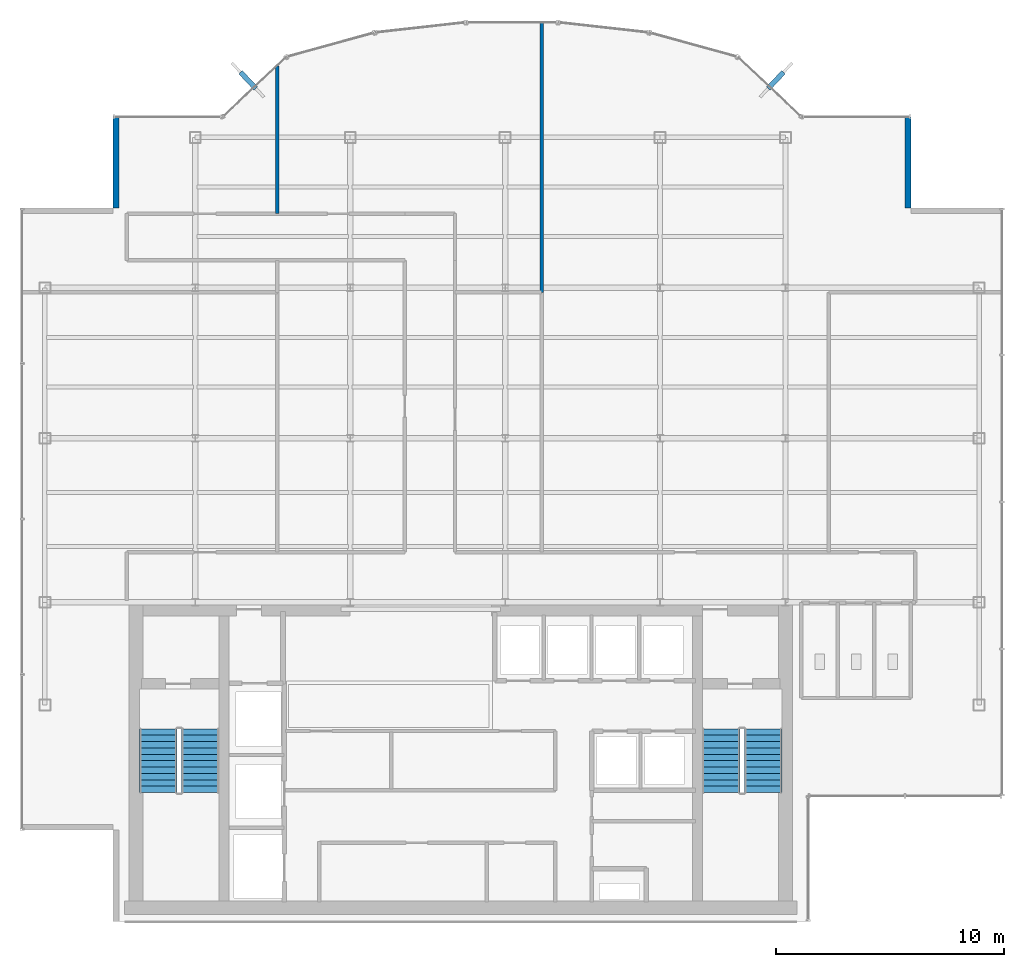
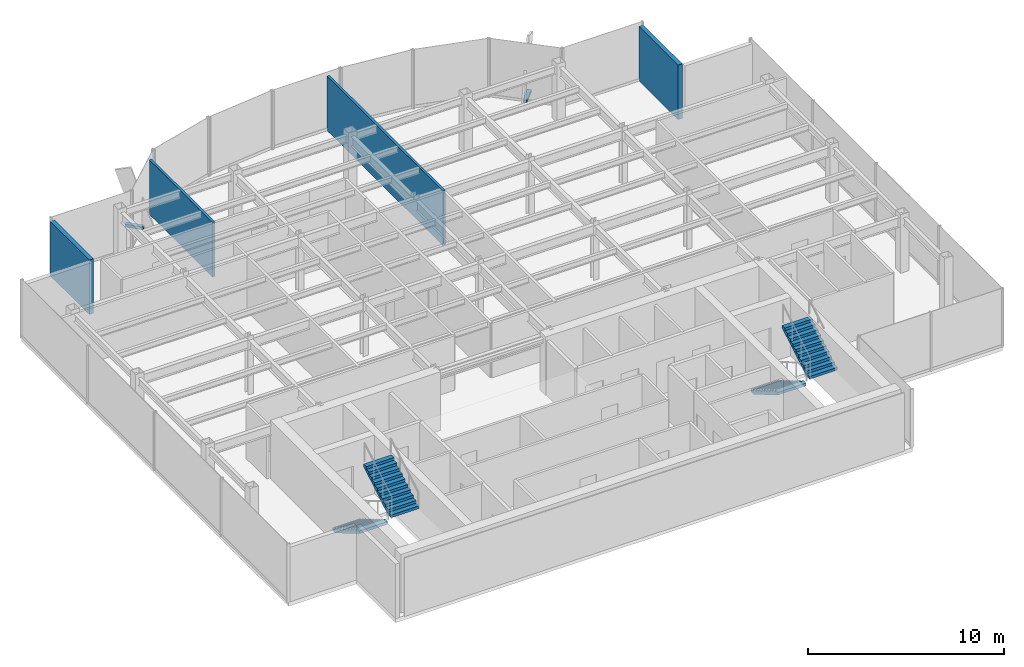
# One storey, part 19 of 22: 4 stair flights, 4 walls, 2 discrete accessories, 2 elements without a shape of their own.
"""IFC4 building model written with IfcOpenShell, lengths in metres."""

from ifc_helpers import new_model, si_unit, derived_unit, direction, frame, frame_2d, origin, origin_2d, place, context, subcontext, project, spatial, polyline, rectangle, outline, extrude, source, transform, mapped, material, layer, layer_set, type_object, element, aggregate, save


model = new_model("IFC4")

# Units and contexts
model_context = context("Model", 3, precision=1e-05, world=origin(), true_north=direction((0.0, 1.0)))
body_context = subcontext(model_context, "Body", "Model", "MODEL_VIEW")
ifc_project = project(units=[si_unit("LENGTHUNIT", "METRE"), si_unit("AREAUNIT", "SQUARE_METRE"), si_unit("VOLUMEUNIT", "CUBIC_METRE"), si_unit("PLANEANGLEUNIT", "RADIAN"), si_unit("MASSUNIT", "GRAM", prefix="KILO"), derived_unit("THERMALTRANSMITTANCEUNIT", [(si_unit("POWERUNIT", "WATT"), 1), (si_unit("LENGTHUNIT", "METRE"), -2), (si_unit("THERMODYNAMICTEMPERATUREUNIT", "KELVIN"), -1)])], contexts=[model_context])

# Site, building, storey
site_placement = place(None, origin())
site = spatial("IfcSite", under=ifc_project, at=site_placement, CompositionType="ELEMENT")
building_placement = place(site_placement, origin())
building = spatial("IfcBuilding", under=site, at=building_placement, Name="Skarnbrae Concourse Arena and Tower", CompositionType="ELEMENT")
storey_placement = place(building_placement, frame((0.0, 0.0, 214.14990234375)))
storey = spatial("IfcBuildingStorey", under=building, at=storey_placement, Name="L55", CompositionType="ELEMENT", Elevation=214.14990234375)

# Walls
ifc_material_1 = material(Name="Precast concrete 40 MPa (C40/50)", Category="concrete")
ifc_layer_1 = layer(ifc_material_1, 0.25)
ifc_layer_set_1 = layer_set([ifc_layer_1], Name="Precast concrete 40 MPa (C40/50)")
wall_type_1 = type_object("IfcWallType", Name="WALL-EXT-SPANDREL-250", PredefinedType="STANDARD", material=ifc_layer_set_1)
shared_shape_1 = source(origin(), body_context, "Body", "SweptSolid", [
    extrude(rectangle(XDim=4.0, YDim=0.25, at=frame_2d((2.0, 0.0))), origin(), (0.0, 0.0, 1.0), 3.400146484375),
])
for number, where, z_axis, x_axis, name in (
    (1, (38.875, 31.300048828125, 0.0), (0.0, 0.0, 1.0), (0.0, 1.0, 0.0), "L55 Notched corner insulated return wall 06"),
    (2, (4.125, 35.300048828125, 0.0), (0.0, 0.0, 1.0), (0.0, -1.0, 0.0), "L55 Notched corner insulated return wall 16"),
):
    element("IfcWall", number, at=place(storey_placement, frame(where, z_axis=z_axis, x_axis=x_axis)), inside=storey, type_object=wall_type_1, Name=name, PredefinedType="STANDARD", context=body_context, shape_type="MappedRepresentation", body=[
        mapped(shared_shape_1, transform((0.0, 0.0, 0.0))),
    ])
ifc_material_2 = material(Name="Gypsum board on cold-formed steel studs", Category="steel")
ifc_layer_2 = layer(ifc_material_2, 0.14990234375)
ifc_layer_set_2 = layer_set([ifc_layer_2], Name="Gypsum board on cold-formed steel studs")
wall_type_2 = type_object("IfcWallType", Name="WALL-PART-150", PredefinedType="PARTITIONING", material=ifc_layer_set_2)
shared_shape_2 = source(origin(), body_context, "Body", "SweptSolid", [
    extrude(rectangle(XDim=6.481689453125, YDim=0.14990234375, at=frame_2d((3.24072265625, 0.0))), origin(), (0.0, 0.0, 1.0), 3.400146484375),
])
wall_1_placement = place(storey_placement, frame((11.199951171875, 37.53173828125, 0.0), z_axis=(0.0, 0.0, 1.0), x_axis=(0.0, -1.0, 0.0)))
element("IfcWall", 3, at=wall_1_placement, inside=storey, type_object=wall_type_2, Name="L55 Interior partition wall W-L55-DEM-16", PredefinedType="PARTITIONING", context=body_context, shape_type="MappedRepresentation", body=[
    mapped(shared_shape_2, transform((0.0, 0.0, 0.0))),
])
shared_shape_3 = source(origin(), body_context, "Body", "SweptSolid", [
    extrude(rectangle(XDim=11.82666015625, YDim=0.14990234375, at=frame_2d((5.913330078125, 0.0))), origin(), (0.0, 0.0, 1.0), 3.400146484375),
])
wall_2_placement = place(storey_placement, frame((22.800048828125, 39.4267578125, 0.0), z_axis=(0.0, 0.0, 1.0), x_axis=(0.0, -1.0, 0.0)))
element("IfcWall", 4, at=wall_2_placement, inside=storey, type_object=wall_type_2, Name="L55 Interior partition wall W-L55-DEM-19", PredefinedType="PARTITIONING", context=body_context, shape_type="MappedRepresentation", body=[
    mapped(shared_shape_3, transform((0.0, 0.0, 0.0))),
])

# Stair, stair flights
ifc_material_3 = material(Name="Concrete 40 MPa (C40/50)", Category="concrete")
stair_type = type_object("IfcStairType", Name="STAIR-DOGLEG-1650", PredefinedType="HALF_TURN_STAIR", material=ifc_material_3)
stair_1_placement = place(storey_placement, origin())
stair_1 = element("IfcStair", 5, at=stair_1_placement, inside=storey, type_object=stair_type, Name="L55 Protected Exit Stair ST-1", PredefinedType="HALF_TURN_STAIR")
stair_flight_type = type_object("IfcStairFlightType", Name="FLIGHT-STRAIGHT-1650", PredefinedType="STRAIGHT", material=ifc_material_3)
shared_shape_4 = source(origin(), body_context, "Body", "SweptSolid", [
    extrude(outline(polyline([(0.0, 0.0), (0.0, 0.166015625), (0.280029296875, 0.166015625), (0.280029296875, 0.331787109375), (0.56005859375, 0.331787109375), (0.56005859375, 0.497802734375), (0.840087890625, 0.497802734375), (0.840087890625, 0.66357421875), (1.1201171875, 0.66357421875), (1.1201171875, 0.82958984375), (1.39990234375, 0.82958984375), (1.39990234375, 0.995361328125), (1.679931640625, 0.995361328125), (1.679931640625, 1.161376953125), (1.9599609375, 1.161376953125), (1.9599609375, 1.327392578125), (2.239990234375, 1.327392578125), (2.239990234375, 1.4931640625), (2.52001953125, 1.4931640625), (2.52001953125, 1.6591796875), (2.800048828125, 1.6591796875), (2.800048828125, 1.824951171875), (2.800048828125, 1.48486328125), (0.2939453125, 0.0), (0.0, 0.0)])), frame((0.0, 0.824951171875, 0.0), z_axis=(0.0, -1.0, 0.0), x_axis=(1.0, 0.0, 0.0)), (0.0, 0.0, 1.0), 1.64990234375),
])
stair_flight_1_placement = place(storey_placement, frame((5.97509765625, 8.449951171875, 0.0), z_axis=(0.0, 0.0, 1.0), x_axis=(0.0, -1.0, 0.0)))
stair_flight_1 = element("IfcStairFlight", 6, at=stair_flight_1_placement, type_object=stair_flight_type, Name="ST-1 flight 1", NumberOfRisers=11, NumberOfTreads=10, PredefinedType="STRAIGHT", RiserHeight=0.165909091, TreadLength=0.28, context=body_context, shape_type="MappedRepresentation", body=[
    mapped(shared_shape_4, transform((0.0, 0.0, 0.0))),
])
stair_flight_2_placement = place(storey_placement, frame((7.824951171875, 5.64990234375, 1.8251953125), z_axis=(0.0, 0.0, 1.0), x_axis=(0.0, 1.0, 0.0)))
stair_flight_2 = element("IfcStairFlight", 7, at=stair_flight_2_placement, type_object=stair_flight_type, Name="ST-1 flight 2", NumberOfRisers=11, NumberOfTreads=10, PredefinedType="STRAIGHT", RiserHeight=0.165909091, TreadLength=0.28, context=body_context, shape_type="MappedRepresentation", body=[
    mapped(shared_shape_4, transform((0.0, 0.0, 0.0))),
])
aggregate(stair_1, [stair_flight_1, stair_flight_2])

stair_2_placement = place(storey_placement, origin())
stair_2 = element("IfcStair", 8, at=stair_2_placement, inside=storey, type_object=stair_type, Name="L55 Protected Exit Stair ST-2", PredefinedType="HALF_TURN_STAIR")
stair_flight_3_placement = place(storey_placement, frame((30.675048828125, 8.449951171875, 0.0), z_axis=(0.0, 0.0, 1.0), x_axis=(0.0, -1.0, 0.0)))
stair_flight_3 = element("IfcStairFlight", 9, at=stair_flight_3_placement, type_object=stair_flight_type, Name="ST-2 flight 1", NumberOfRisers=11, NumberOfTreads=10, PredefinedType="STRAIGHT", RiserHeight=0.165909091, TreadLength=0.28, context=body_context, shape_type="MappedRepresentation", body=[
    mapped(shared_shape_4, transform((0.0, 0.0, 0.0))),
])
stair_flight_4_placement = place(storey_placement, frame((32.52490234375, 5.64990234375, 1.8251953125), z_axis=(0.0, 0.0, 1.0), x_axis=(0.0, 1.0, 0.0)))
stair_flight_4 = element("IfcStairFlight", 10, at=stair_flight_4_placement, type_object=stair_flight_type, Name="ST-2 flight 2", NumberOfRisers=11, NumberOfTreads=10, PredefinedType="STRAIGHT", RiserHeight=0.165909091, TreadLength=0.28, context=body_context, shape_type="MappedRepresentation", body=[
    mapped(shared_shape_4, transform((0.0, 0.0, 0.0))),
])
aggregate(stair_2, [stair_flight_3, stair_flight_4])

# Discrete accessories
ifc_material_4 = material(Name="Bronze anodised aluminium 6063-T6", Category="aluminium")
discrete_accessory_type = type_object("IfcDiscreteAccessoryType", Name="ACC-FIN-BRACKET", PredefinedType="BRACKET", material=ifc_material_4)
shared_shape_5 = source(origin(), body_context, "Body", "SweptSolid", [
    extrude(rectangle(XDim=0.219970703125, YDim=0.97998046875, at=origin_2d()), origin(), (0.0, 0.0, 1.0), 0.179931640625),
])
for number, where, z_axis, x_axis, name in (
    (11, (33.0791015625, 36.904541015625, -0.02978515625), (0.0, 0.0, 1.0), (0.728131751529, -0.685437198009, 0.0), "L55 Bronze fin foot support bracket 08"),
    (12, (9.9208984375, 36.904541015625, -0.02978515625), (0.0, 0.0, 1.0), (0.728131751529, 0.685437198009, 0.0), "L55 Bronze fin foot support bracket 14"),
):
    element("IfcDiscreteAccessory", number, at=place(storey_placement, frame(where, z_axis=z_axis, x_axis=x_axis)), inside=storey, type_object=discrete_accessory_type, Name=name, PredefinedType="BRACKET", context=body_context, shape_type="MappedRepresentation", body=[
        mapped(shared_shape_5, transform((0.0, 0.0, 0.0))),
    ])

save(model, "model.ifc")
